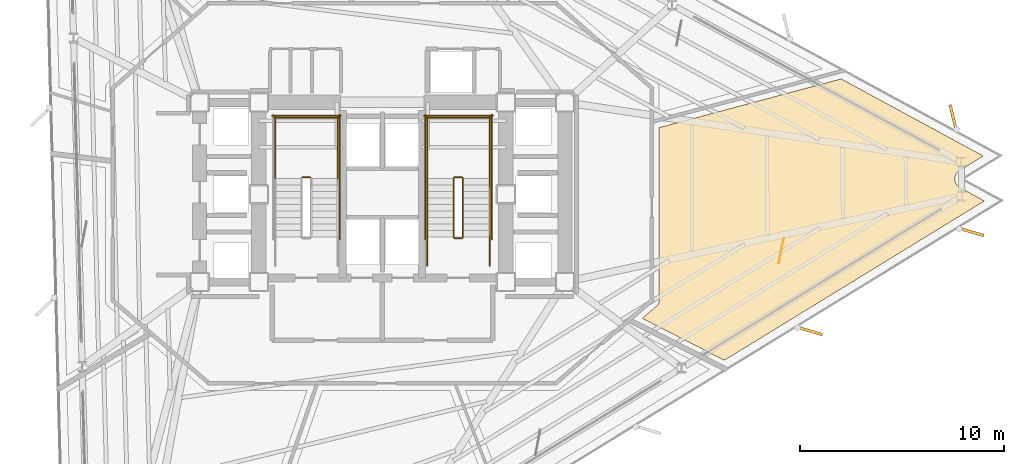
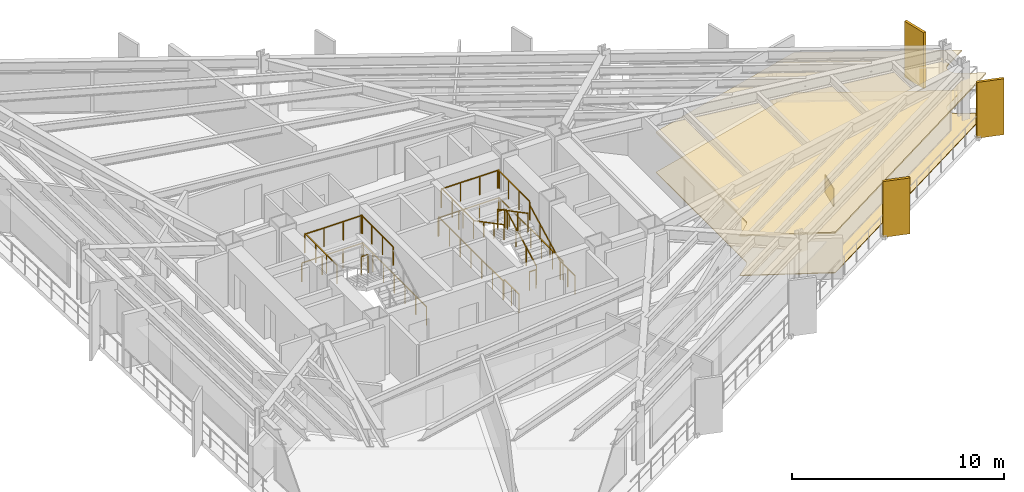
# One storey, part 13 of 14: 20 railings, 3 coverings, 3 shading devices.
"""IFC4 building model written with IfcOpenShell, lengths in metres."""

from ifc_helpers import new_model, si_unit, direction, frame, origin, origin_2d, place, context, subcontext, project, spatial, polyline, rectangle, outline, extrude, material, layer, layer_set, type_object, element, save


model = new_model("IFC4")

# Units and contexts
model_context = context("Model", 3, precision=1e-05, world=origin(), true_north=direction((0.0, 1.0)))
body_context = subcontext(model_context, "Body", "Model", "MODEL_VIEW")
ifc_project = project(units=[si_unit("LENGTHUNIT", "METRE"), si_unit("AREAUNIT", "SQUARE_METRE"), si_unit("VOLUMEUNIT", "CUBIC_METRE"), si_unit("PLANEANGLEUNIT", "RADIAN"), si_unit("MASSUNIT", "GRAM", prefix="KILO")], contexts=[model_context])

# Site, building, storey
site_placement = place(None, origin())
site = spatial("IfcSite", under=ifc_project, at=site_placement, CompositionType="ELEMENT")
building_placement = place(site_placement, origin())
building = spatial("IfcBuilding", under=site, at=building_placement, Name="Rocaltana Carrier Exchange", CompositionType="ELEMENT")
storey_placement = place(building_placement, frame((0.0, 0.0, 28.9599609375)))
storey = spatial("IfcBuildingStorey", under=building, at=storey_placement, Name="L09", CompositionType="ELEMENT", Elevation=28.9599609375)

# Coverings
ifc_material_1 = material(Name="Honed Bogota Sandstone Tile", Category="masonry")
ifc_layer_1 = layer(ifc_material_1, 0.0400390625)
ifc_layer_set_1 = layer_set([ifc_layer_1], Name="Honed Bogota Sandstone Tile")
covering_type_1 = type_object("IfcCoveringType", Name="Honed Stone Lobby Flooring 40", PredefinedType="FLOORING", material=ifc_layer_set_1)
covering_1_placement = place(storey_placement, origin())
element("IfcCovering", 1, at=covering_1_placement, inside=storey, type_object=covering_type_1, Name="L09 Executive Peering Boardroom Finish Floor", PredefinedType="FLOORING", context=body_context, shape_type="SweptSolid", body=[
    extrude(outline(polyline([(29.427490234375, 1.87109375), (28.260498046875, 1.156005859375), (28.248779296875, 1.148193359375), (28.232421875, 1.136962890625), (28.210205078125, 1.1201171875), (28.19482421875, 1.107421875), (28.17431640625, 1.08837890625), (28.160400390625, 1.073974609375), (28.14208984375, 1.052978515625), (28.129638671875, 1.03759765625), (28.11328125, 1.014892578125), (28.1025390625, 0.998046875), (28.088623046875, 0.973876953125), (28.07958984375, 0.9560546875), (28.068115234375, 0.9306640625), (28.060791015625, 0.912109375), (28.052001953125, 0.885498046875), (28.046630859375, 0.866455078125), (28.04052734375, 0.839111328125), (28.037109375, 0.819580078125), (28.03369140625, 0.791748046875), (28.031982421875, 0.77197265625), (28.031494140625, 0.743896484375), (28.031982421875, 0.72412109375), (28.0341796875, 0.6962890625), (28.03662109375, 0.676513671875), (28.04150390625, 0.64892578125), (28.0458984375, 0.629638671875), (28.053466796875, 0.602783203125), (28.059814453125, 0.583740234375), (28.070068359375, 0.557861328125), (28.078369140625, 0.539794921875), (28.091064453125, 0.514892578125), (28.10107421875, 0.49755859375), (28.1162109375, 0.47412109375), (28.1279296875, 0.4580078125), (28.1455078125, 0.436279296875), (28.15869140625, 0.421142578125), (28.177978515625, 0.4013671875), (28.192626953125, 0.3876953125), (28.214111328125, 0.369873046875), (28.22998046875, 0.35791015625), (28.253173828125, 0.342041015625), (28.270263671875, 0.331787109375), (28.2822265625, 0.32470703125), (29.485107421875, -0.328369140625), (16.751708984375, -8.13134765625), (12.728515625, -6.08154296875), (13.43505859375, -5.47265625), (13.44482421875, -5.4638671875), (13.450439453125, -5.45849609375), (13.468994140625, -5.439208984375), (13.47412109375, -5.433349609375), (13.490478515625, -5.41259765625), (13.4951171875, -5.40625), (13.509521484375, -5.3837890625), (13.51318359375, -5.377197265625), (13.525634765625, -5.353515625), (13.52880859375, -5.346435546875), (13.538818359375, -5.32177734375), (13.541259765625, -5.314453125), (13.548828125, -5.288818359375), (13.550537109375, -5.281494140625), (13.5556640625, -5.255126953125), (13.556884765625, -5.24755859375), (13.559326171875, -5.220947265625), (13.559814453125, -5.21337890625), (13.56005859375, -5.199951171875), (13.56005859375, 3.2607421875), (22.470458984375, 5.648193359375), (29.427490234375, 1.87109375)])), origin(), (0.0, 0.0, 1.0), 0.0400390625),
])
ifc_material_2 = material(Name="Anodised Aluminium 6063-T6", Category="aluminium")
ifc_layer_2 = layer(ifc_material_2, 0.0849609375)
ifc_layer_set_2 = layer_set([ifc_layer_2], Name="Anodised Aluminium 6063-T6")
covering_type_2 = type_object("IfcCoveringType", Name="Linear Baffle Acoustic Ceiling 85", PredefinedType="CEILING", material=ifc_layer_set_2)
covering_2_placement = place(storey_placement, frame((0.0, 0.0, 2.282958984375)))
element("IfcCovering", 2, at=covering_2_placement, inside=storey, type_object=covering_type_2, Name="L09 Executive Peering Boardroom Acoustic Ceiling", PredefinedType="CEILING", context=body_context, shape_type="SweptSolid", body=[
    extrude(outline(polyline([(29.427490234375, 1.87109375), (28.260498046875, 1.156005859375), (28.248779296875, 1.148193359375), (28.232421875, 1.136962890625), (28.210205078125, 1.1201171875), (28.19482421875, 1.107421875), (28.17431640625, 1.08837890625), (28.160400390625, 1.073974609375), (28.14208984375, 1.052978515625), (28.129638671875, 1.03759765625), (28.11328125, 1.014892578125), (28.1025390625, 0.998046875), (28.088623046875, 0.973876953125), (28.07958984375, 0.9560546875), (28.068115234375, 0.9306640625), (28.060791015625, 0.912109375), (28.052001953125, 0.885498046875), (28.046630859375, 0.866455078125), (28.04052734375, 0.839111328125), (28.037109375, 0.819580078125), (28.03369140625, 0.791748046875), (28.031982421875, 0.77197265625), (28.031494140625, 0.743896484375), (28.031982421875, 0.72412109375), (28.0341796875, 0.6962890625), (28.03662109375, 0.676513671875), (28.04150390625, 0.64892578125), (28.0458984375, 0.629638671875), (28.053466796875, 0.602783203125), (28.059814453125, 0.583740234375), (28.070068359375, 0.557861328125), (28.078369140625, 0.539794921875), (28.091064453125, 0.514892578125), (28.10107421875, 0.49755859375), (28.1162109375, 0.47412109375), (28.1279296875, 0.4580078125), (28.1455078125, 0.436279296875), (28.15869140625, 0.421142578125), (28.177978515625, 0.4013671875), (28.192626953125, 0.3876953125), (28.214111328125, 0.369873046875), (28.22998046875, 0.35791015625), (28.253173828125, 0.342041015625), (28.270263671875, 0.331787109375), (28.2822265625, 0.32470703125), (29.485107421875, -0.328369140625), (16.751708984375, -8.13134765625), (12.728515625, -6.08154296875), (13.43505859375, -5.47265625), (13.44482421875, -5.4638671875), (13.450439453125, -5.45849609375), (13.468994140625, -5.439208984375), (13.47412109375, -5.433349609375), (13.490478515625, -5.41259765625), (13.4951171875, -5.40625), (13.509521484375, -5.3837890625), (13.51318359375, -5.377197265625), (13.525634765625, -5.353515625), (13.52880859375, -5.346435546875), (13.538818359375, -5.32177734375), (13.541259765625, -5.314453125), (13.548828125, -5.288818359375), (13.550537109375, -5.281494140625), (13.5556640625, -5.255126953125), (13.556884765625, -5.24755859375), (13.559326171875, -5.220947265625), (13.559814453125, -5.21337890625), (13.56005859375, -5.199951171875), (13.56005859375, 3.2607421875), (22.470458984375, 5.648193359375), (29.427490234375, 1.87109375)])), origin(), (0.0, 0.0, 1.0), 0.0849609375),
])

# Railings
ifc_material_3 = material(Name="Brushed Architectural Stainless Tube", Category="steel")
ifc_layer_3 = layer(ifc_material_3, 0.048095703125)
ifc_layer_set_3 = layer_set([ifc_layer_3], Name="Brushed Architectural Stainless Tube")
railing_type_1 = type_object("IfcRailingType", Name="Stair Wall Handrail 920", PredefinedType="HANDRAIL", material=ifc_layer_set_3)
railing_1_placement = place(storey_placement, frame((5.25, -2.10009765625, 0.16796875)))
element("IfcRailing", 3, at=railing_1_placement, inside=storey, type_object=railing_type_1, Name="L09 ST-2 stair handrail 1", PredefinedType="HANDRAIL", context=body_context, shape_type="SweptSolid", body=[
    extrude(rectangle(XDim=0.048095703125, YDim=0.048095703125, at=origin_2d()), frame((0.0, 0.0, 0.8759765625), z_axis=(0.0, 0.885411030485, 0.464808893091), x_axis=(-1.0, 0.0, 0.0)), (0.0, 0.0, 1.0), 3.2529296875),
    extrude(rectangle(XDim=0.0419921875, YDim=0.0419921875, at=origin_2d()), origin(), (0.0, 0.0, 1.0), 0.851806640625),
    extrude(rectangle(XDim=0.0419921875, YDim=0.0419921875, at=origin_2d()), frame((0.0, 0.9599609375, 0.50390625)), (0.0, 0.0, 1.0), 0.851806640625),
    extrude(rectangle(XDim=0.0419921875, YDim=0.0419921875, at=origin_2d()), frame((0.0, 1.920166015625, 1.008056640625)), (0.0, 0.0, 1.0), 0.851806640625),
    extrude(rectangle(XDim=0.0419921875, YDim=0.0419921875, at=origin_2d()), frame((0.0, 2.880126953125, 1.511962890625)), (0.0, 0.0, 1.0), 0.851806640625),
])
railing_2_placement = place(storey_placement, frame((2.18994140625, 0.780029296875, 1.84814453125)))
element("IfcRailing", 4, at=railing_2_placement, inside=storey, type_object=railing_type_1, Name="L09 ST-2 stair handrail 2", PredefinedType="HANDRAIL", context=body_context, shape_type="SweptSolid", body=[
    extrude(rectangle(XDim=0.048095703125, YDim=0.048095703125, at=origin_2d()), frame((0.0, 0.0, 0.8759765625), z_axis=(0.0, -0.885411030485, 0.464808893091), x_axis=(1.0, 0.0, 0.0)), (0.0, 0.0, 1.0), 3.2529296875),
    extrude(rectangle(XDim=0.0419921875, YDim=0.0419921875, at=origin_2d()), origin(), (0.0, 0.0, 1.0), 0.851806640625),
    extrude(rectangle(XDim=0.0419921875, YDim=0.0419921875, at=origin_2d()), frame((0.0, -0.9599609375, 0.50390625)), (0.0, 0.0, 1.0), 0.851806640625),
    extrude(rectangle(XDim=0.0419921875, YDim=0.0419921875, at=origin_2d()), frame((0.0, -1.920166015625, 1.008056640625)), (0.0, 0.0, 1.0), 0.851806640625),
    extrude(rectangle(XDim=0.0419921875, YDim=0.0419921875, at=origin_2d()), frame((0.0, -2.880126953125, 1.511962890625)), (0.0, 0.0, 1.0), 0.851806640625),
])
ifc_material_4 = material(Name="Powder-Coated Aluminium 6063-T6", Category="aluminium")
ifc_layer_4 = layer(ifc_material_4, 0.048095703125)
ifc_layer_set_4 = layer_set([ifc_layer_4], Name="Powder-Coated Aluminium 6063-T6")
railing_type_2 = type_object("IfcRailingType", Name="Stair Well Guardrail 1100", PredefinedType="GUARDRAIL", material=ifc_layer_set_4)
railing_3_placement = place(storey_placement, frame((-3.5400390625, 0.830078125, 1.679931640625)))
element("IfcRailing", 5, at=railing_3_placement, inside=storey, type_object=railing_type_2, Name="L09 ST-1 stair guard 2", PredefinedType="GUARDRAIL", context=body_context, shape_type="SweptSolid", body=[
    extrude(rectangle(XDim=0.048095703125, YDim=0.048095703125, at=origin_2d()), frame((0.0, 0.0, 1.076171875), z_axis=(-1.0, 0.0, 0.0), x_axis=(0.0, -1.0, 0.0)), (0.0, 0.0, 1.0), 0.35986328125),
    extrude(rectangle(XDim=0.0419921875, YDim=0.0419921875, at=origin_2d()), origin(), (0.0, 0.0, 1.0), 1.052001953125),
    extrude(rectangle(XDim=0.0419921875, YDim=0.0419921875, at=origin_2d()), frame((-0.35986328125, 0.0, 0.0)), (0.0, 0.0, 1.0), 1.052001953125),
])
for number, where, name in (
    (6, (-2.18994140625, 0.780029296875, 1.679931640625), "L09 ST-1 stair guard 3"),
    (7, (-5.25, 0.780029296875, 1.679931640625), "L09 ST-1 stair guard 4"),
):
    element("IfcRailing", number, at=place(storey_placement, frame(where)), inside=storey, type_object=railing_type_2, Name=name, PredefinedType="GUARDRAIL", context=body_context, shape_type="SweptSolid", body=[
        extrude(rectangle(XDim=0.048095703125, YDim=0.048095703125, at=origin_2d()), frame((0.0, 0.0, 1.076171875), z_axis=(0.0, 1.0, 0.0), x_axis=(-1.0, 0.0, 0.0)), (0.0, 0.0, 1.0), 3.02001953125),
        extrude(rectangle(XDim=0.0419921875, YDim=0.0419921875, at=origin_2d()), origin(), (0.0, 0.0, 1.0), 1.052001953125),
        extrude(rectangle(XDim=0.0419921875, YDim=0.0419921875, at=origin_2d()), frame((0.0, 1.006591796875, 0.0)), (0.0, 0.0, 1.0), 1.052001953125),
        extrude(rectangle(XDim=0.0419921875, YDim=0.0419921875, at=origin_2d()), frame((0.0, 2.013427734375, 0.0)), (0.0, 0.0, 1.0), 1.052001953125),
        extrude(rectangle(XDim=0.0419921875, YDim=0.0419921875, at=origin_2d()), frame((0.0, 3.02001953125, 0.0)), (0.0, 0.0, 1.0), 1.052001953125),
    ])
railing_4_placement = place(storey_placement, frame((-2.139892578125, 3.75, 1.679931640625)))
element("IfcRailing", 8, at=railing_4_placement, inside=storey, type_object=railing_type_2, Name="L09 ST-1 stair guard 5", PredefinedType="GUARDRAIL", context=body_context, shape_type="SweptSolid", body=[
    extrude(rectangle(XDim=0.048095703125, YDim=0.048095703125, at=origin_2d()), frame((0.0, 0.0, 1.076171875), z_axis=(-1.0, 0.0, 0.0), x_axis=(0.0, -1.0, 0.0)), (0.0, 0.0, 1.0), 3.16015625),
    extrude(rectangle(XDim=0.0419921875, YDim=0.0419921875, at=origin_2d()), origin(), (0.0, 0.0, 1.0), 1.052001953125),
    extrude(rectangle(XDim=0.0419921875, YDim=0.0419921875, at=origin_2d()), frame((-1.053466796875, 0.0, 0.0)), (0.0, 0.0, 1.0), 1.052001953125),
    extrude(rectangle(XDim=0.0419921875, YDim=0.0419921875, at=origin_2d()), frame((-2.106689453125, 0.0, 0.0)), (0.0, 0.0, 1.0), 1.052001953125),
    extrude(rectangle(XDim=0.0419921875, YDim=0.0419921875, at=origin_2d()), frame((-3.16015625, 0.0, 0.0)), (0.0, 0.0, 1.0), 1.052001953125),
])
railing_5_placement = place(storey_placement, frame((-2.090087890625, -2.199951171875, 0.0)))
element("IfcRailing", 9, at=railing_5_placement, inside=storey, type_object=railing_type_2, Name="L09 ST-1 stair guard 10", PredefinedType="GUARDRAIL", context=body_context, shape_type="SweptSolid", body=[
    extrude(rectangle(XDim=0.048095703125, YDim=0.048095703125, at=origin_2d()), frame((0.0, 0.0, 1.076171875), z_axis=(0.0, 1.0, 0.0), x_axis=(-1.0, 0.0, 0.0)), (0.0, 0.0, 1.0), 6.099853515625),
    extrude(rectangle(XDim=0.0419921875, YDim=0.0419921875, at=origin_2d()), origin(), (0.0, 0.0, 1.0), 1.052001953125),
    extrude(rectangle(XDim=0.0419921875, YDim=0.0419921875, at=origin_2d()), frame((0.0, 1.0166015625, 0.0)), (0.0, 0.0, 1.0), 1.052001953125),
    extrude(rectangle(XDim=0.0419921875, YDim=0.0419921875, at=origin_2d()), frame((0.0, 2.033203125, 0.0)), (0.0, 0.0, 1.0), 1.052001953125),
    extrude(rectangle(XDim=0.0419921875, YDim=0.0419921875, at=origin_2d()), frame((0.0, 3.0498046875, 0.0)), (0.0, 0.0, 1.0), 1.052001953125),
    extrude(rectangle(XDim=0.0419921875, YDim=0.0419921875, at=origin_2d()), frame((0.0, 4.066650390625, 0.0)), (0.0, 0.0, 1.0), 1.052001953125),
    extrude(rectangle(XDim=0.0419921875, YDim=0.0419921875, at=origin_2d()), frame((0.0, 5.083251953125, 0.0)), (0.0, 0.0, 1.0), 1.052001953125),
    extrude(rectangle(XDim=0.0419921875, YDim=0.0419921875, at=origin_2d()), frame((0.0, 6.099853515625, 0.0)), (0.0, 0.0, 1.0), 1.052001953125),
])
railing_6_placement = place(storey_placement, frame((-2.0400390625, 3.85009765625, 0.0)))
element("IfcRailing", 10, at=railing_6_placement, inside=storey, type_object=railing_type_2, Name="L09 ST-1 stair guard 12", PredefinedType="GUARDRAIL", context=body_context, shape_type="SweptSolid", body=[
    extrude(rectangle(XDim=0.048095703125, YDim=0.048095703125, at=origin_2d()), frame((0.0, 0.0, 1.076171875), z_axis=(-1.0, 0.0, 0.0), x_axis=(0.0, -1.0, 0.0)), (0.0, 0.0, 1.0), 3.35986328125),
    extrude(rectangle(XDim=0.0419921875, YDim=0.0419921875, at=origin_2d()), origin(), (0.0, 0.0, 1.0), 1.052001953125),
    extrude(rectangle(XDim=0.0419921875, YDim=0.0419921875, at=origin_2d()), frame((-1.119873046875, 0.0, 0.0)), (0.0, 0.0, 1.0), 1.052001953125),
    extrude(rectangle(XDim=0.0419921875, YDim=0.0419921875, at=origin_2d()), frame((-2.239990234375, 0.0, 0.0)), (0.0, 0.0, 1.0), 1.052001953125),
    extrude(rectangle(XDim=0.0419921875, YDim=0.0419921875, at=origin_2d()), frame((-3.35986328125, 0.0, 0.0)), (0.0, 0.0, 1.0), 1.052001953125),
])
railing_7_placement = place(storey_placement, frame((3.949951171875, -2.10009765625, 0.16796875)))
element("IfcRailing", 11, at=railing_7_placement, inside=storey, type_object=railing_type_2, Name="L09 ST-2 stair guard 1", PredefinedType="GUARDRAIL", context=body_context, shape_type="SweptSolid", body=[
    extrude(rectangle(XDim=0.048095703125, YDim=0.048095703125, at=origin_2d()), frame((0.0, 0.0, 1.076171875), z_axis=(0.0, 0.885411030485, 0.464808893091), x_axis=(-1.0, 0.0, 0.0)), (0.0, 0.0, 1.0), 3.2529296875),
    extrude(rectangle(XDim=0.0419921875, YDim=0.0419921875, at=origin_2d()), origin(), (0.0, 0.0, 1.0), 1.052001953125),
    extrude(rectangle(XDim=0.0419921875, YDim=0.0419921875, at=origin_2d()), frame((0.0, 0.9599609375, 0.50390625)), (0.0, 0.0, 1.0), 1.052001953125),
    extrude(rectangle(XDim=0.0419921875, YDim=0.0419921875, at=origin_2d()), frame((0.0, 1.920166015625, 1.008056640625)), (0.0, 0.0, 1.0), 1.052001953125),
    extrude(rectangle(XDim=0.0419921875, YDim=0.0419921875, at=origin_2d()), frame((0.0, 2.880126953125, 1.511962890625)), (0.0, 0.0, 1.0), 1.052001953125),
])
railing_8_placement = place(storey_placement, frame((3.89990234375, 0.830078125, 1.679931640625)))
element("IfcRailing", 12, at=railing_8_placement, inside=storey, type_object=railing_type_2, Name="L09 ST-2 stair guard 2", PredefinedType="GUARDRAIL", context=body_context, shape_type="SweptSolid", body=[
    extrude(rectangle(XDim=0.048095703125, YDim=0.048095703125, at=origin_2d()), frame((0.0, 0.0, 1.076171875), z_axis=(-1.0, 0.0, 0.0), x_axis=(0.0, -1.0, 0.0)), (0.0, 0.0, 1.0), 0.35986328125),
    extrude(rectangle(XDim=0.0419921875, YDim=0.0419921875, at=origin_2d()), origin(), (0.0, 0.0, 1.0), 1.052001953125),
    extrude(rectangle(XDim=0.0419921875, YDim=0.0419921875, at=origin_2d()), frame((-0.35986328125, 0.0, 0.0)), (0.0, 0.0, 1.0), 1.052001953125),
])
for number, where, name in (
    (13, (5.25, 0.780029296875, 1.679931640625), "L09 ST-2 stair guard 3"),
    (14, (2.18994140625, 0.780029296875, 1.679931640625), "L09 ST-2 stair guard 4"),
):
    element("IfcRailing", number, at=place(storey_placement, frame(where)), inside=storey, type_object=railing_type_2, Name=name, PredefinedType="GUARDRAIL", context=body_context, shape_type="SweptSolid", body=[
        extrude(rectangle(XDim=0.048095703125, YDim=0.048095703125, at=origin_2d()), frame((0.0, 0.0, 1.076171875), z_axis=(0.0, 1.0, 0.0), x_axis=(-1.0, 0.0, 0.0)), (0.0, 0.0, 1.0), 3.02001953125),
        extrude(rectangle(XDim=0.0419921875, YDim=0.0419921875, at=origin_2d()), origin(), (0.0, 0.0, 1.0), 1.052001953125),
        extrude(rectangle(XDim=0.0419921875, YDim=0.0419921875, at=origin_2d()), frame((0.0, 1.006591796875, 0.0)), (0.0, 0.0, 1.0), 1.052001953125),
        extrude(rectangle(XDim=0.0419921875, YDim=0.0419921875, at=origin_2d()), frame((0.0, 2.013427734375, 0.0)), (0.0, 0.0, 1.0), 1.052001953125),
        extrude(rectangle(XDim=0.0419921875, YDim=0.0419921875, at=origin_2d()), frame((0.0, 3.02001953125, 0.0)), (0.0, 0.0, 1.0), 1.052001953125),
    ])
railing_9_placement = place(storey_placement, frame((5.300048828125, 3.75, 1.679931640625)))
element("IfcRailing", 15, at=railing_9_placement, inside=storey, type_object=railing_type_2, Name="L09 ST-2 stair guard 5", PredefinedType="GUARDRAIL", context=body_context, shape_type="SweptSolid", body=[
    extrude(rectangle(XDim=0.048095703125, YDim=0.048095703125, at=origin_2d()), frame((0.0, 0.0, 1.076171875), z_axis=(-1.0, 0.0, 0.0), x_axis=(0.0, -1.0, 0.0)), (0.0, 0.0, 1.0), 3.16015625),
    extrude(rectangle(XDim=0.0419921875, YDim=0.0419921875, at=origin_2d()), origin(), (0.0, 0.0, 1.0), 1.052001953125),
    extrude(rectangle(XDim=0.0419921875, YDim=0.0419921875, at=origin_2d()), frame((-1.053466796875, 0.0, 0.0)), (0.0, 0.0, 1.0), 1.052001953125),
    extrude(rectangle(XDim=0.0419921875, YDim=0.0419921875, at=origin_2d()), frame((-2.106689453125, 0.0, 0.0)), (0.0, 0.0, 1.0), 1.052001953125),
    extrude(rectangle(XDim=0.0419921875, YDim=0.0419921875, at=origin_2d()), frame((-3.16015625, 0.0, 0.0)), (0.0, 0.0, 1.0), 1.052001953125),
])
railing_10_placement = place(storey_placement, frame((3.489990234375, 0.780029296875, 1.84814453125)))
element("IfcRailing", 16, at=railing_10_placement, inside=storey, type_object=railing_type_2, Name="L09 ST-2 stair guard 6", PredefinedType="GUARDRAIL", context=body_context, shape_type="SweptSolid", body=[
    extrude(rectangle(XDim=0.048095703125, YDim=0.048095703125, at=origin_2d()), frame((0.0, 0.0, 1.076171875), z_axis=(0.0, -0.885411030485, 0.464808893091), x_axis=(1.0, 0.0, 0.0)), (0.0, 0.0, 1.0), 3.2529296875),
    extrude(rectangle(XDim=0.0419921875, YDim=0.0419921875, at=origin_2d()), origin(), (0.0, 0.0, 1.0), 1.052001953125),
    extrude(rectangle(XDim=0.0419921875, YDim=0.0419921875, at=origin_2d()), frame((0.0, -0.9599609375, 0.50390625)), (0.0, 0.0, 1.0), 1.052001953125),
    extrude(rectangle(XDim=0.0419921875, YDim=0.0419921875, at=origin_2d()), frame((0.0, -1.920166015625, 1.008056640625)), (0.0, 0.0, 1.0), 1.052001953125),
    extrude(rectangle(XDim=0.0419921875, YDim=0.0419921875, at=origin_2d()), frame((0.0, -2.880126953125, 1.511962890625)), (0.0, 0.0, 1.0), 1.052001953125),
])
railing_11_placement = place(storey_placement, frame((3.89990234375, -2.14990234375, 0.0)))
element("IfcRailing", 17, at=railing_11_placement, inside=storey, type_object=railing_type_2, Name="L09 ST-2 stair guard 7", PredefinedType="GUARDRAIL", context=body_context, shape_type="SweptSolid", body=[
    extrude(rectangle(XDim=0.048095703125, YDim=0.048095703125, at=origin_2d()), frame((0.0, 0.0, 1.076171875), z_axis=(-1.0, 0.0, 0.0), x_axis=(0.0, -1.0, 0.0)), (0.0, 0.0, 1.0), 0.35986328125),
    extrude(rectangle(XDim=0.0419921875, YDim=0.0419921875, at=origin_2d()), origin(), (0.0, 0.0, 1.0), 1.052001953125),
    extrude(rectangle(XDim=0.0419921875, YDim=0.0419921875, at=origin_2d()), frame((-0.35986328125, 0.0, 0.0)), (0.0, 0.0, 1.0), 1.052001953125),
])
for number, where, name in (
    (18, (5.25, -3.5, 0.0), "L09 ST-2 stair guard 8"),
    (19, (2.18994140625, -3.5, 0.0), "L09 ST-2 stair guard 9"),
):
    element("IfcRailing", number, at=place(storey_placement, frame(where)), inside=storey, type_object=railing_type_2, Name=name, PredefinedType="GUARDRAIL", context=body_context, shape_type="SweptSolid", body=[
        extrude(rectangle(XDim=0.048095703125, YDim=0.048095703125, at=origin_2d()), frame((0.0, 0.0, 1.076171875), z_axis=(0.0, 1.0, 0.0), x_axis=(-1.0, 0.0, 0.0)), (0.0, 0.0, 1.0), 1.39990234375),
        extrude(rectangle(XDim=0.0419921875, YDim=0.0419921875, at=origin_2d()), origin(), (0.0, 0.0, 1.0), 1.052001953125),
        extrude(rectangle(XDim=0.0419921875, YDim=0.0419921875, at=origin_2d()), frame((0.0, 0.699951171875, 0.0)), (0.0, 0.0, 1.0), 1.052001953125),
        extrude(rectangle(XDim=0.0419921875, YDim=0.0419921875, at=origin_2d()), frame((0.0, 1.39990234375, 0.0)), (0.0, 0.0, 1.0), 1.052001953125),
    ])
for number, where, name in (
    (20, (5.35009765625, -2.199951171875, 0.0), "L09 ST-2 stair guard 10"),
    (21, (2.090087890625, -2.199951171875, 0.0), "L09 ST-2 stair guard 11"),
):
    element("IfcRailing", number, at=place(storey_placement, frame(where)), inside=storey, type_object=railing_type_2, Name=name, PredefinedType="GUARDRAIL", context=body_context, shape_type="SweptSolid", body=[
        extrude(rectangle(XDim=0.048095703125, YDim=0.048095703125, at=origin_2d()), frame((0.0, 0.0, 1.076171875), z_axis=(0.0, 1.0, 0.0), x_axis=(-1.0, 0.0, 0.0)), (0.0, 0.0, 1.0), 6.099853515625),
        extrude(rectangle(XDim=0.0419921875, YDim=0.0419921875, at=origin_2d()), origin(), (0.0, 0.0, 1.0), 1.052001953125),
        extrude(rectangle(XDim=0.0419921875, YDim=0.0419921875, at=origin_2d()), frame((0.0, 1.0166015625, 0.0)), (0.0, 0.0, 1.0), 1.052001953125),
        extrude(rectangle(XDim=0.0419921875, YDim=0.0419921875, at=origin_2d()), frame((0.0, 2.033203125, 0.0)), (0.0, 0.0, 1.0), 1.052001953125),
        extrude(rectangle(XDim=0.0419921875, YDim=0.0419921875, at=origin_2d()), frame((0.0, 3.0498046875, 0.0)), (0.0, 0.0, 1.0), 1.052001953125),
        extrude(rectangle(XDim=0.0419921875, YDim=0.0419921875, at=origin_2d()), frame((0.0, 4.066650390625, 0.0)), (0.0, 0.0, 1.0), 1.052001953125),
        extrude(rectangle(XDim=0.0419921875, YDim=0.0419921875, at=origin_2d()), frame((0.0, 5.083251953125, 0.0)), (0.0, 0.0, 1.0), 1.052001953125),
        extrude(rectangle(XDim=0.0419921875, YDim=0.0419921875, at=origin_2d()), frame((0.0, 6.099853515625, 0.0)), (0.0, 0.0, 1.0), 1.052001953125),
    ])
railing_12_placement = place(storey_placement, frame((5.39990234375, 3.85009765625, 0.0)))
element("IfcRailing", 22, at=railing_12_placement, inside=storey, type_object=railing_type_2, Name="L09 ST-2 stair guard 12", PredefinedType="GUARDRAIL", context=body_context, shape_type="SweptSolid", body=[
    extrude(rectangle(XDim=0.048095703125, YDim=0.048095703125, at=origin_2d()), frame((0.0, 0.0, 1.076171875), z_axis=(-1.0, 0.0, 0.0), x_axis=(0.0, -1.0, 0.0)), (0.0, 0.0, 1.0), 3.35986328125),
    extrude(rectangle(XDim=0.0419921875, YDim=0.0419921875, at=origin_2d()), origin(), (0.0, 0.0, 1.0), 1.052001953125),
    extrude(rectangle(XDim=0.0419921875, YDim=0.0419921875, at=origin_2d()), frame((-1.119873046875, 0.0, 0.0)), (0.0, 0.0, 1.0), 1.052001953125),
    extrude(rectangle(XDim=0.0419921875, YDim=0.0419921875, at=origin_2d()), frame((-2.239990234375, 0.0, 0.0)), (0.0, 0.0, 1.0), 1.052001953125),
    extrude(rectangle(XDim=0.0419921875, YDim=0.0419921875, at=origin_2d()), frame((-3.35986328125, 0.0, 0.0)), (0.0, 0.0, 1.0), 1.052001953125),
])

# Covering
ifc_material_5 = material(Name="Honed Piedra Muneca Sandstone", Category="masonry")
ifc_layer_5 = layer(ifc_material_5, 0.034912109375)
ifc_layer_set_5 = layer_set([ifc_layer_5], Name="Honed Piedra Muneca Sandstone")
covering_type_3 = type_object("IfcCoveringType", Name="Stone Facade Cladding 35", PredefinedType="CLADDING", material=ifc_layer_set_5)
covering_3_placement = place(storey_placement, frame((19.53515625, -2.76416015625, 0.0), z_axis=(0.0, 0.0, 1.0), x_axis=(0.190808995377, 0.981627183448, 0.0)))
element("IfcCovering", 23, at=covering_3_placement, inside=storey, type_object=covering_type_3, Name="L09 Stone Facade Cladding Panel 5", PredefinedType="CLADDING", context=body_context, shape_type="SweptSolid", body=[
    extrude(rectangle(XDim=1.25, YDim=0.034912109375, at=origin_2d()), origin(), (0.0, 0.0, 1.0), 1.050048828125),
])

# Shading devices
ifc_material_6 = material(Name="Honed Bogota Sandstone & Concrete C45/55", Category="masonry")
ifc_layer_6 = layer(ifc_material_6, 0.139892578125)
ifc_layer_set_6 = layer_set([ifc_layer_6], Name="Honed Bogota Sandstone & Concrete C45/55")
shading_device_type = type_object("IfcShadingDeviceType", Name="Vertical Sandstone Shading Fin 1320x140", PredefinedType="USERDEFINED", material=ifc_layer_set_6)
for number, where, z_axis, x_axis, name in (
    (24, (27.95751953125, 3.739501953125, -0.1201171875), (0.0, 0.0, 1.0), (-0.233445363856, 0.972369920398, 0.0), "L09 Sandstone Vertical Fin F1-01"),
    (25, (20.909912109375, -6.6865234375, -0.1201171875), (0.0, 0.0, 1.0), (0.958819734868, -0.284015344704, 0.0), "L09 Sandstone Vertical Fin F3-05"),
    (26, (28.822265625, -1.837646484375, -0.1201171875), (0.0, 0.0, 1.0), (0.958819734868, -0.284015344704, 0.0), "L09 Sandstone Vertical Fin F3-06"),
):
    element("IfcShadingDevice", number, at=place(storey_placement, frame(where, z_axis=z_axis, x_axis=x_axis)), inside=storey, type_object=shading_device_type, Name=name, ObjectType="FIN", PredefinedType="USERDEFINED", context=body_context, shape_type="SweptSolid", body=[
        extrude(rectangle(XDim=1.320068359375, YDim=0.139892578125, at=origin_2d()), origin(), (0.0, 0.0, 1.0), 3.218017578125),
    ])

save(model, "model.ifc")
